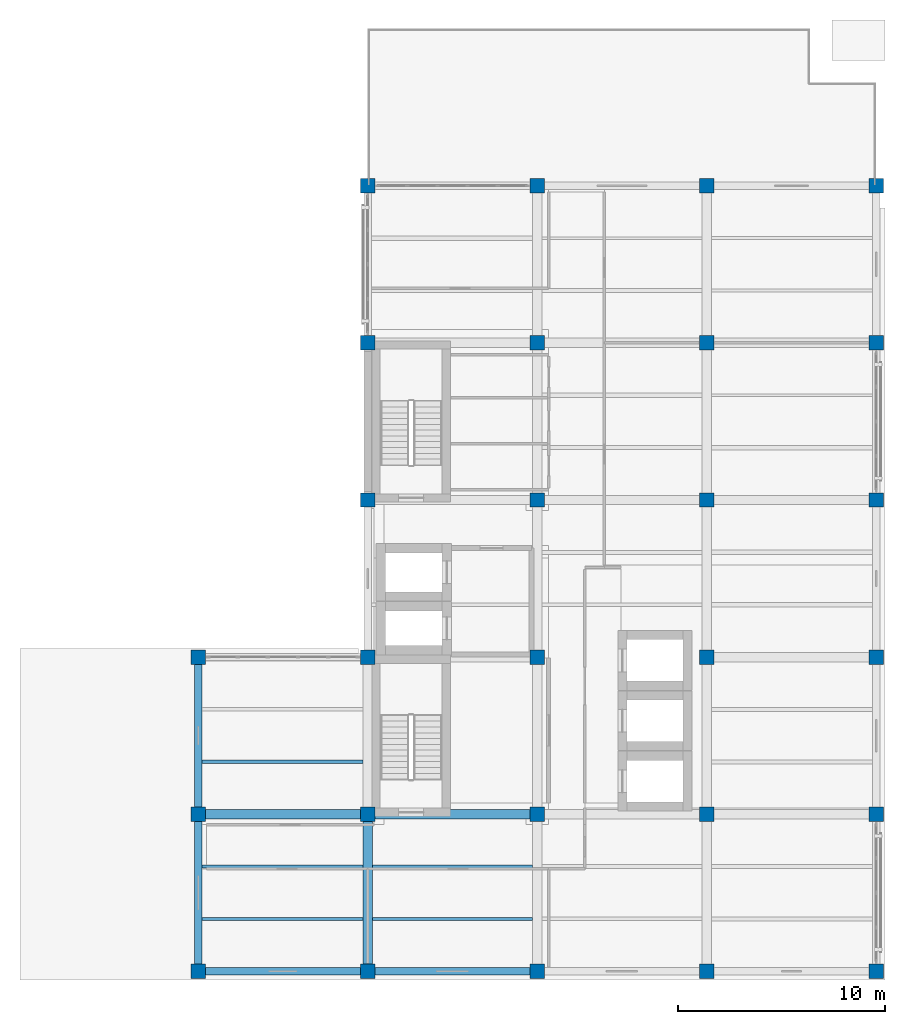
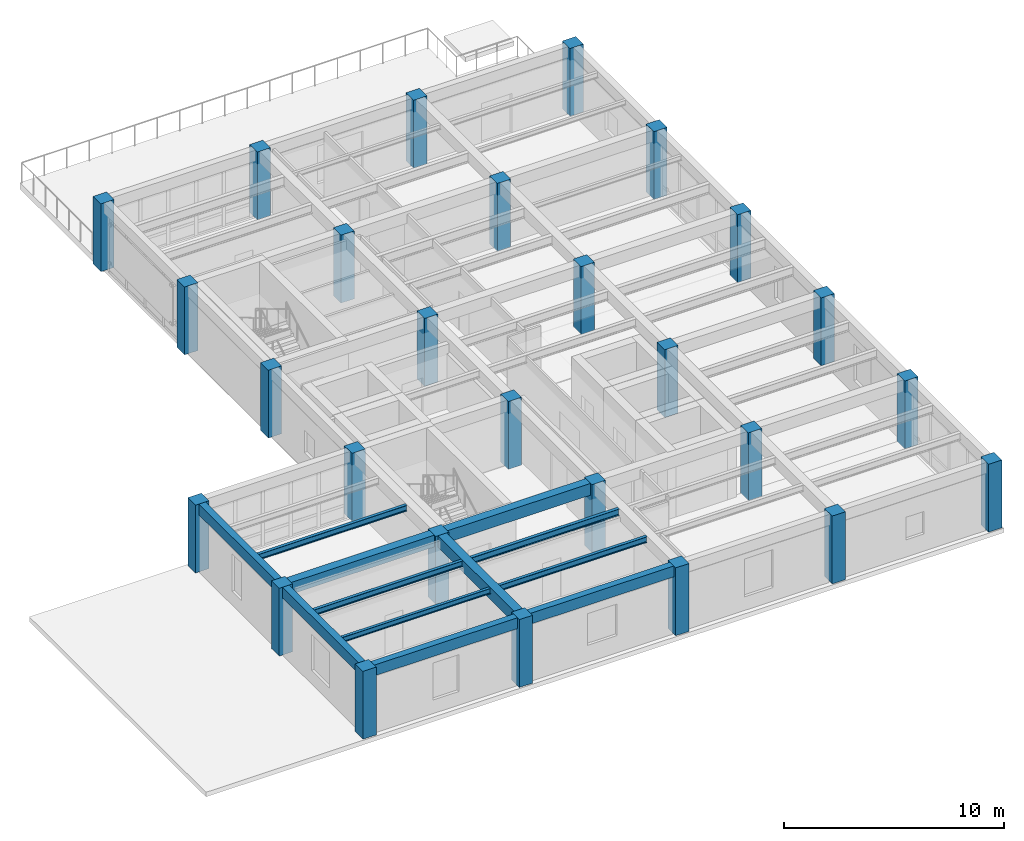
# One storey, part 1 of 11: 27 columns, 12 beams.
"""IFC4 building model written with IfcOpenShell, lengths in metres."""

from ifc_helpers import new_model, si_unit, direction, frame, origin, origin_2d, place, context, subcontext, project, spatial, rectangle, i_section, extrude, material, material_profile, profile_set, type_object, element, save


model = new_model("IFC4")

# Units and contexts
model_context = context("Model", 3, precision=1e-05, world=origin(), true_north=direction((0.0, 1.0)))
body_context = subcontext(model_context, "Body", "Model", "MODEL_VIEW")
ifc_project = project(units=[si_unit("LENGTHUNIT", "METRE"), si_unit("AREAUNIT", "SQUARE_METRE"), si_unit("VOLUMEUNIT", "CUBIC_METRE"), si_unit("PLANEANGLEUNIT", "RADIAN"), si_unit("MASSUNIT", "GRAM", prefix="KILO")], contexts=[model_context])

# Site, building, storey
site_placement = place(None, origin())
site = spatial("IfcSite", under=ifc_project, at=site_placement, CompositionType="ELEMENT")
building_placement = place(site_placement, origin())
building = spatial("IfcBuilding", under=site, at=building_placement, Name="Qandaris Square Conservatory and Botanical Centre", CompositionType="ELEMENT")
storey_placement = place(building_placement, frame((0.0, 0.0, 66.199951171875)))
storey = spatial("IfcBuildingStorey", under=building, at=storey_placement, Name="L15", CompositionType="ELEMENT", Elevation=66.199951171875)

# Columns
ifc_material_1 = material(Name="Concrete C50/60", Category="concrete")
ifc_material_profile_1 = material_profile(ifc_material_1, rectangle(XDim=0.699951171875, YDim=0.699951171875, at=origin_2d()), Name="RC-COL 700x700")
ifc_profile_set_1 = profile_set([ifc_material_profile_1], Name="Concrete C50/60")
column_type = type_object("IfcColumnType", Name="RC Column 700x700", PredefinedType="COLUMN", material=ifc_profile_set_1)
for number, where, z_axis, x_axis, name in (
    (1, (131.0, 16.60009765625, 0.0), (0.0, 0.0, 1.0), (1.0, 0.0, 0.0), "Column B16 (L15)"),
    (2, (131.0, 24.199951171875, 0.0), (0.0, 0.0, 1.0), (1.0, 0.0, 0.0), "Column C16 (L15)"),
    (3, (131.0, 31.800048828125, 0.0), (0.0, 0.0, 1.0), (1.0, 0.0, 0.0), "Column D16 (L15)"),
    (4, (139.199951171875, 16.60009765625, 0.0), (0.0, 0.0, 1.0), (1.0, 0.0, 0.0), "Column B17 (L15)"),
    (5, (139.199951171875, 24.199951171875, 0.0), (0.0, 0.0, 1.0), (1.0, 0.0, 0.0), "Column C17 (L15)"),
    (6, (139.199951171875, 31.800048828125, 0.0), (0.0, 0.0, 1.0), (1.0, 0.0, 0.0), "Column D17 (L15)"),
    (7, (139.199951171875, 39.39990234375, 0.0), (0.0, 0.0, 1.0), (1.0, 0.0, 0.0), "Column E17 (L15)"),
    (8, (139.199951171875, 47.0, 0.0), (0.0, 0.0, 1.0), (1.0, 0.0, 0.0), "Column F17 (L15)"),
    (9, (139.199951171875, 54.60009765625, 0.0), (0.0, 0.0, 1.0), (1.0, 0.0, 0.0), "Column G17 (L15)"),
    (10, (147.39990234375, 16.60009765625, 0.0), (0.0, 0.0, 1.0), (1.0, 0.0, 0.0), "Column B18 (L15)"),
    (11, (147.39990234375, 24.199951171875, 0.0), (0.0, 0.0, 1.0), (1.0, 0.0, 0.0), "Column C18 (L15)"),
    (12, (147.39990234375, 31.800048828125, 0.0), (0.0, 0.0, 1.0), (1.0, 0.0, 0.0), "Column D18 (L15)"),
    (13, (147.39990234375, 39.39990234375, 0.0), (0.0, 0.0, 1.0), (1.0, 0.0, 0.0), "Column E18 (L15)"),
    (14, (147.39990234375, 47.0, 0.0), (0.0, 0.0, 1.0), (1.0, 0.0, 0.0), "Column F18 (L15)"),
    (15, (147.39990234375, 54.60009765625, 0.0), (0.0, 0.0, 1.0), (1.0, 0.0, 0.0), "Column G18 (L15)"),
    (16, (155.60009765625, 16.60009765625, 0.0), (0.0, 0.0, 1.0), (1.0, 0.0, 0.0), "Column B19 (L15)"),
    (17, (155.60009765625, 24.199951171875, 0.0), (0.0, 0.0, 1.0), (1.0, 0.0, 0.0), "Column C19 (L15)"),
    (18, (155.60009765625, 31.800048828125, 0.0), (0.0, 0.0, 1.0), (1.0, 0.0, 0.0), "Column D19 (L15)"),
    (19, (155.60009765625, 39.39990234375, 0.0), (0.0, 0.0, 1.0), (1.0, 0.0, 0.0), "Column E19 (L15)"),
    (20, (155.60009765625, 47.0, 0.0), (0.0, 0.0, 1.0), (1.0, 0.0, 0.0), "Column F19 (L15)"),
    (21, (155.60009765625, 54.60009765625, 0.0), (0.0, 0.0, 1.0), (1.0, 0.0, 0.0), "Column G19 (L15)"),
    (22, (163.800048828125, 16.60009765625, 0.0), (0.0, 0.0, 1.0), (1.0, 0.0, 0.0), "Column B20 (L15)"),
    (23, (163.800048828125, 24.199951171875, 0.0), (0.0, 0.0, 1.0), (1.0, 0.0, 0.0), "Column C20 (L15)"),
    (24, (163.800048828125, 31.800048828125, 0.0), (0.0, 0.0, 1.0), (1.0, 0.0, 0.0), "Column D20 (L15)"),
    (25, (163.800048828125, 39.39990234375, 0.0), (0.0, 0.0, 1.0), (1.0, 0.0, 0.0), "Column E20 (L15)"),
    (26, (163.800048828125, 47.0, 0.0), (0.0, 0.0, 1.0), (1.0, 0.0, 0.0), "Column F20 (L15)"),
    (27, (163.800048828125, 54.60009765625, 0.0), (0.0, 0.0, 1.0), (1.0, 0.0, 0.0), "Column G20 (L15)"),
):
    element("IfcColumn", number, at=place(storey_placement, frame(where, z_axis=z_axis, x_axis=x_axis)), inside=storey, type_object=column_type, Name=name, PredefinedType="COLUMN", context=body_context, shape_type="SweptSolid", body=[
        extrude(rectangle(XDim=0.699951171875, YDim=0.699951171875, at=origin_2d()), origin(), (0.0, 0.0, 1.0), 3.760009765625),
    ])

# Beams
ifc_material_2 = material(Name="Steel S355", Category="steel")
ifc_material_profile_2 = material_profile(ifc_material_2, i_section(OverallWidth=0.14990234375, OverallDepth=0.300048828125, WebThickness=0.007080078125, FlangeThickness=0.0107421875, FilletRadius=0.014892578125, at=origin_2d()), Name="IPE 300")
ifc_profile_set_2 = profile_set([ifc_material_profile_2], Name="Steel S355")
beam_type_1 = type_object("IfcBeamType", Name="Composite Lab Joist IPE 300", PredefinedType="JOIST", material=ifc_profile_set_2)
beam_1_placement = place(storey_placement, frame((131.175048828125, 19.13330078125, 3.60009765625), z_axis=(1.0, 0.0, 0.0), x_axis=(0.0, 1.0, 0.0)))
element("IfcBeam", 28, at=beam_1_placement, inside=storey, type_object=beam_type_1, Name="L15 Composite Joist 2946", PredefinedType="JOIST", context=body_context, shape_type="SweptSolid", body=[
    extrude(i_section(OverallWidth=0.14990234375, OverallDepth=0.300048828125, WebThickness=0.007080078125, FlangeThickness=0.0107421875, FilletRadius=0.014892578125, at=origin_2d()), origin(), (0.0, 0.0, 1.0), 7.800048828125),
])
ifc_material_profile_3 = material_profile(ifc_material_2, i_section(OverallWidth=0.159912109375, OverallDepth=0.330078125, WebThickness=0.007568359375, FlangeThickness=0.011474609375, FilletRadius=0.01806640625, at=origin_2d()), Name="IPE 330")
ifc_profile_set_3 = profile_set([ifc_material_profile_3], Name="Steel S355")
beam_type_2 = type_object("IfcBeamType", Name="Composite Lab Joist IPE 330", PredefinedType="JOIST", material=ifc_profile_set_3)
for number, where, z_axis, x_axis, name in (
    (29, (131.175048828125, 21.666748046875, 3.5849609375), (1.0, 0.0, 0.0), (0.0, 1.0, 0.0), "L15 Composite Joist 2947"),
    (30, (131.175048828125, 26.7333984375, 3.5849609375), (1.0, 0.0, 0.0), (0.0, 1.0, 0.0), "L15 Composite Joist 2948"),
):
    element("IfcBeam", number, at=place(storey_placement, frame(where, z_axis=z_axis, x_axis=x_axis)), inside=storey, type_object=beam_type_2, Name=name, PredefinedType="JOIST", context=body_context, shape_type="SweptSolid", body=[
        extrude(i_section(OverallWidth=0.159912109375, OverallDepth=0.330078125, WebThickness=0.007568359375, FlangeThickness=0.011474609375, FilletRadius=0.01806640625, at=origin_2d()), origin(), (0.0, 0.0, 1.0), 7.800048828125),
    ])
beam_2_placement = place(storey_placement, frame((139.425048828125, 19.13330078125, 3.5849609375), z_axis=(1.0, 0.0, 0.0), x_axis=(0.0, 1.0, 0.0)))
element("IfcBeam", 31, at=beam_2_placement, inside=storey, type_object=beam_type_2, Name="L15 Composite Joist 2950", PredefinedType="JOIST", context=body_context, shape_type="SweptSolid", body=[
    extrude(i_section(OverallWidth=0.159912109375, OverallDepth=0.330078125, WebThickness=0.007568359375, FlangeThickness=0.011474609375, FilletRadius=0.01806640625, at=origin_2d()), origin(), (0.0, 0.0, 1.0), 7.75),
])
ifc_material_profile_4 = material_profile(ifc_material_2, i_section(OverallWidth=0.169921875, OverallDepth=0.360107421875, WebThickness=0.008056640625, FlangeThickness=0.0126953125, FilletRadius=0.01806640625, at=origin_2d()), Name="IPE 360")
ifc_profile_set_4 = profile_set([ifc_material_profile_4], Name="Steel S355")
beam_type_3 = type_object("IfcBeamType", Name="Composite Lab Joist IPE 360", PredefinedType="JOIST", material=ifc_profile_set_4)
beam_3_placement = place(storey_placement, frame((139.425048828125, 21.666748046875, 3.570068359375), z_axis=(1.0, 0.0, 0.0), x_axis=(0.0, 1.0, 0.0)))
element("IfcBeam", 32, at=beam_3_placement, inside=storey, type_object=beam_type_3, Name="L15 Composite Joist 2951", PredefinedType="JOIST", context=body_context, shape_type="SweptSolid", body=[
    extrude(i_section(OverallWidth=0.169921875, OverallDepth=0.360107421875, WebThickness=0.008056640625, FlangeThickness=0.0126953125, FilletRadius=0.01806640625, at=origin_2d()), origin(), (0.0, 0.0, 1.0), 7.75),
])
ifc_material_profile_5 = material_profile(ifc_material_1, rectangle(XDim=0.35009765625, YDim=0.60009765625, at=origin_2d()), Name="RC-SP 350x600")
ifc_profile_set_5 = profile_set([ifc_material_profile_5], Name="Concrete C50/60")
beam_type_4 = type_object("IfcBeamType", Name="RC Edge Spandrel Beam 350x600", PredefinedType="SPANDREL", material=ifc_profile_set_5)
for number, where, z_axis, x_axis, name in (
    (33, (131.0, 16.60009765625, 3.4599609375), (1.0, 0.0, 0.0), (0.0, 1.0, 0.0), "L15 Frame Beam 2904"),
    (34, (139.199951171875, 16.60009765625, 3.4599609375), (1.0, 0.0, 0.0), (0.0, 1.0, 0.0), "L15 Frame Beam 2905"),
):
    element("IfcBeam", number, at=place(storey_placement, frame(where, z_axis=z_axis, x_axis=x_axis)), inside=storey, type_object=beam_type_4, Name=name, PredefinedType="SPANDREL", context=body_context, shape_type="SweptSolid", body=[
        extrude(rectangle(XDim=0.35009765625, YDim=0.60009765625, at=origin_2d()), origin(), (0.0, 0.0, 1.0), 8.199951171875),
    ])
beam_4_placement = place(storey_placement, frame((131.0, 16.60009765625, 3.4599609375), z_axis=(0.0, 1.0, 0.0), x_axis=(-1.0, 0.0, 0.0)))
element("IfcBeam", 35, at=beam_4_placement, inside=storey, type_object=beam_type_4, Name="L15 Frame Beam 2924", PredefinedType="SPANDREL", context=body_context, shape_type="SweptSolid", body=[
    extrude(rectangle(XDim=0.35009765625, YDim=0.60009765625, at=origin_2d()), origin(), (0.0, 0.0, 1.0), 7.599853515625),
])
beam_5_placement = place(storey_placement, frame((131.0, 24.199951171875, 3.4599609375), z_axis=(0.0, 1.0, 0.0), x_axis=(-1.0, 0.0, 0.0)))
element("IfcBeam", 36, at=beam_5_placement, inside=storey, type_object=beam_type_4, Name="L15 Frame Beam 2925", PredefinedType="SPANDREL", context=body_context, shape_type="SweptSolid", body=[
    extrude(rectangle(XDim=0.35009765625, YDim=0.60009765625, at=origin_2d()), origin(), (0.0, 0.0, 1.0), 7.60009765625),
])
ifc_material_profile_6 = material_profile(ifc_material_1, rectangle(XDim=0.449951171875, YDim=0.64990234375, at=origin_2d()), Name="RC-BM 450x650")
ifc_profile_set_6 = profile_set([ifc_material_profile_6], Name="Concrete C50/60")
beam_type_5 = type_object("IfcBeamType", Name="RC Floor Girder 450x650", PredefinedType="BEAM", material=ifc_profile_set_6)
for number, where, z_axis, x_axis, name in (
    (37, (131.0, 24.199951171875, 3.43505859375), (1.0, 0.0, 0.0), (0.0, 1.0, 0.0), "L15 Frame Beam 2908"),
    (38, (139.199951171875, 24.199951171875, 3.43505859375), (1.0, 0.0, 0.0), (0.0, 1.0, 0.0), "L15 Frame Beam 2909"),
):
    element("IfcBeam", number, at=place(storey_placement, frame(where, z_axis=z_axis, x_axis=x_axis)), inside=storey, type_object=beam_type_5, Name=name, PredefinedType="BEAM", context=body_context, shape_type="SweptSolid", body=[
        extrude(rectangle(XDim=0.449951171875, YDim=0.64990234375, at=origin_2d()), origin(), (0.0, 0.0, 1.0), 8.199951171875),
    ])
beam_6_placement = place(storey_placement, frame((139.199951171875, 16.60009765625, 3.43505859375), z_axis=(0.0, 1.0, 0.0), x_axis=(-1.0, 0.0, 0.0)))
element("IfcBeam", 39, at=beam_6_placement, inside=storey, type_object=beam_type_5, Name="L15 Frame Beam 2926", PredefinedType="BEAM", context=body_context, shape_type="SweptSolid", body=[
    extrude(rectangle(XDim=0.449951171875, YDim=0.64990234375, at=origin_2d()), origin(), (0.0, 0.0, 1.0), 7.599853515625),
])

save(model, "model.ifc")
